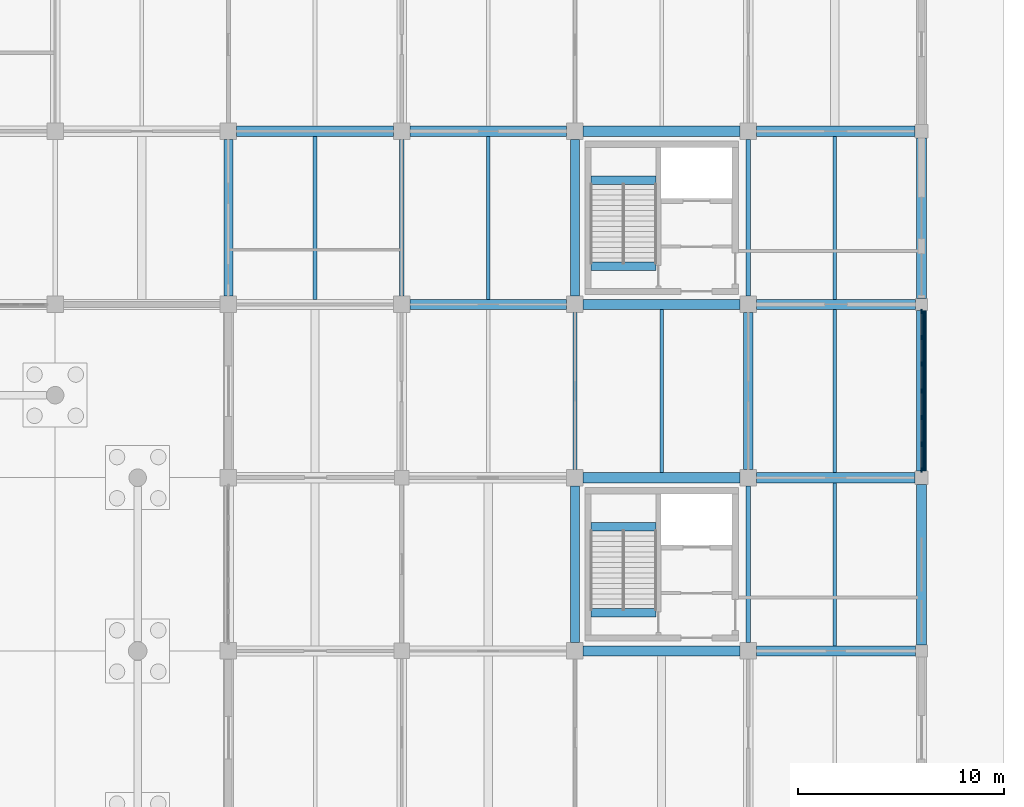
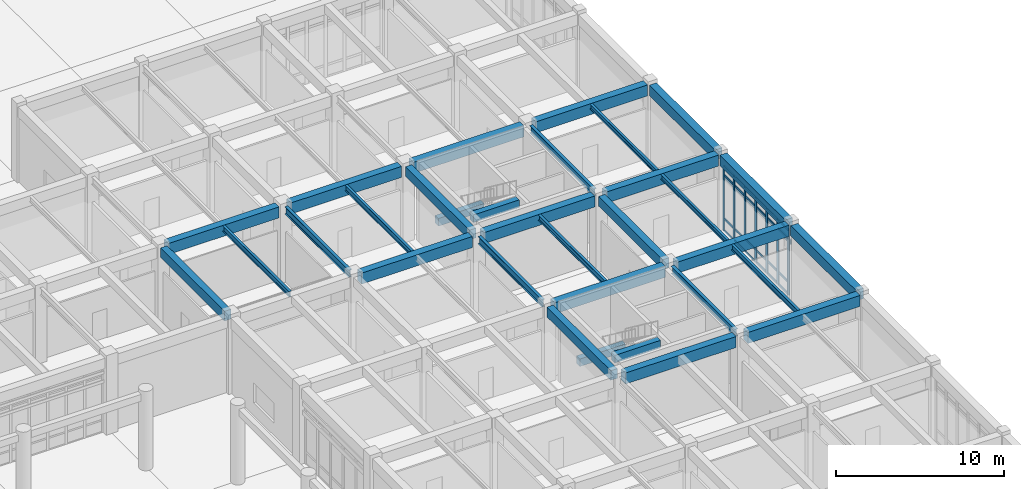
# One storey, part 37 of 91: 33 members, 32 beams, 1 element without a shape of its own.
"""IFC4 building model written with IfcOpenShell, lengths in metres."""

from ifc_helpers import new_model, si_unit, direction, frame, origin, origin_2d, place, context, subcontext, project, spatial, rectangle, i_section, extrude, material, layer, layer_set, material_profile, profile_set, type_object, element, aggregate, save


model = new_model("IFC4")

# Units and contexts
model_context = context("Model", 3, precision=1e-05, world=origin(), true_north=direction((0.0, 1.0)))
body_context = subcontext(model_context, "Body", "Model", "MODEL_VIEW")
ifc_project = project(units=[si_unit("LENGTHUNIT", "METRE"), si_unit("AREAUNIT", "SQUARE_METRE"), si_unit("VOLUMEUNIT", "CUBIC_METRE"), si_unit("PLANEANGLEUNIT", "RADIAN"), si_unit("MASSUNIT", "GRAM", prefix="KILO")], contexts=[model_context])

# Site, building, storey
site_placement = place(None, origin())
site = spatial("IfcSite", under=ifc_project, at=site_placement, CompositionType="ELEMENT")
building_placement = place(site_placement, origin())
building = spatial("IfcBuilding", under=site, at=building_placement, Name="Porcellanite Civic Hall", CompositionType="ELEMENT")
storey_placement = place(building_placement, origin())
storey = spatial("IfcBuildingStorey", under=building, at=storey_placement, Name="L00", CompositionType="ELEMENT", Elevation=0.0)

# Beams
ifc_material_1 = material(Name="Concrete N50 (50 MPa)", Category="concrete")
ifc_material_profile_1 = material_profile(ifc_material_1, rectangle(XDim=0.39990234375, YDim=0.550048828125, at=origin_2d()), Name="RC-400x550")
ifc_profile_set_1 = profile_set([ifc_material_profile_1], Name="Concrete N50 (50 MPa)")
beam_type_1 = type_object("IfcBeamType", Name="BM-RC550", PredefinedType="JOIST", material=ifc_profile_set_1)
for number, where, z_axis, x_axis, name in (
    (1, (160.380615234375, 39.625, 2.425048828125), (1.0, 0.0, 0.0), (0.0, 1.0, 0.0), "Stair landing beam C7 L00"),
    (2, (160.380615234375, 35.449951171875, 5.22509765625), (1.0, 0.0, 0.0), (0.0, 1.0, 0.0), "Stair header beam C7 L00"),
    (3, (160.380615234375, 56.425048828125, 2.425048828125), (1.0, 0.0, 0.0), (0.0, 1.0, 0.0), "Stair landing beam C8 L00"),
    (4, (160.380615234375, 52.25, 5.22509765625), (1.0, 0.0, 0.0), (0.0, 1.0, 0.0), "Stair header beam C8 L00"),
):
    element("IfcBeam", number, at=place(storey_placement, frame(where, z_axis=z_axis, x_axis=x_axis)), inside=storey, type_object=beam_type_1, Name=name, PredefinedType="JOIST", context=body_context, shape_type="SweptSolid", body=[
        extrude(rectangle(XDim=0.39990234375, YDim=0.550048828125, at=origin_2d()), origin(), (0.0, 0.0, 1.0), 3.138916015625),
    ])
ifc_material_2 = material(Name="Concrete N50 (50 MPa)", Category="concrete")
ifc_material_profile_2 = material_profile(ifc_material_2, rectangle(XDim=0.449951171875, YDim=0.699951171875, at=origin_2d()), Name="RC-450x700")
ifc_profile_set_2 = profile_set([ifc_material_profile_2], Name="Concrete N50 (50 MPa)")
beam_type_2 = type_object("IfcBeamType", Name="BM-RC700", PredefinedType="BEAM", material=ifc_profile_set_2)
beam_1_placement = place(storey_placement, frame((142.800048828125, 50.799560546875, 5.14990234375), z_axis=(0.0, 1.0, 0.0), x_axis=(-1.0, 0.0, 0.0)))
element("IfcBeam", 5, at=beam_1_placement, inside=storey, type_object=beam_type_2, Name="Beam Y L00 18-7", PredefinedType="BEAM", context=body_context, shape_type="SweptSolid", body=[
    extrude(rectangle(XDim=0.449951171875, YDim=0.699951171875, at=origin_2d()), origin(), (0.0, 0.0, 1.0), 7.600830078125),
])
beam_2_placement = place(storey_placement, frame((159.60009765625, 33.99951171875, 5.14990234375), z_axis=(0.0, 1.0, 0.0), x_axis=(-1.0, 0.0, 0.0)))
element("IfcBeam", 6, at=beam_2_placement, inside=storey, type_object=beam_type_2, Name="Beam Y L00 20-5", PredefinedType="BEAM", context=body_context, shape_type="SweptSolid", body=[
    extrude(rectangle(XDim=0.449951171875, YDim=0.699951171875, at=origin_2d()), origin(), (0.0, 0.0, 1.0), 7.60107421875),
])
beam_3_placement = place(storey_placement, frame((159.60009765625, 50.799560546875, 5.14990234375), z_axis=(0.0, 1.0, 0.0), x_axis=(-1.0, 0.0, 0.0)))
element("IfcBeam", 7, at=beam_3_placement, inside=storey, type_object=beam_type_2, Name="Beam Y L00 20-7", PredefinedType="BEAM", context=body_context, shape_type="SweptSolid", body=[
    extrude(rectangle(XDim=0.449951171875, YDim=0.699951171875, at=origin_2d()), origin(), (0.0, 0.0, 1.0), 7.600830078125),
])
beam_4_placement = place(storey_placement, frame((168.0, 42.3994140625, 5.14990234375), z_axis=(0.0, 1.0, 0.0), x_axis=(-1.0, 0.0, 0.0)))
element("IfcBeam", 8, at=beam_4_placement, inside=storey, type_object=beam_type_2, Name="Beam Y L00 21-6", PredefinedType="BEAM", context=body_context, shape_type="SweptSolid", body=[
    extrude(rectangle(XDim=0.449951171875, YDim=0.699951171875, at=origin_2d()), origin(), (0.0, 0.0, 1.0), 7.60107421875),
])
ifc_material_3 = material(Name="Concrete N50 (50 MPa)", Category="concrete")
ifc_material_profile_3 = material_profile(ifc_material_3, rectangle(XDim=0.5, YDim=0.75, at=origin_2d()), Name="RC-500x750")
ifc_profile_set_3 = profile_set([ifc_material_profile_3], Name="Concrete N50 (50 MPa)")
beam_type_3 = type_object("IfcBeamType", Name="BM-RC750", PredefinedType="SPANDREL", material=ifc_profile_set_3)
for number, where, z_axis, x_axis, name in (
    (9, (176.39990234375, 33.8994140625, 5.125), (0.0, 1.0, 0.0), (-1.0, 0.0, 0.0), "Beam Y L00 22-5"),
    (10, (176.39990234375, 42.324462890625, 5.125), (0.0, 1.0, 0.0), (-1.0, 0.0, 0.0), "Beam Y L00 22-6"),
    (11, (176.39990234375, 50.699462890625, 5.125), (0.0, 1.0, 0.0), (-1.0, 0.0, 0.0), "Beam Y L00 22-7"),
):
    element("IfcBeam", number, at=place(storey_placement, frame(where, z_axis=z_axis, x_axis=x_axis)), inside=storey, type_object=beam_type_3, Name=name, PredefinedType="SPANDREL", context=body_context, shape_type="SweptSolid", body=[
        extrude(rectangle(XDim=0.5, YDim=0.75, at=origin_2d()), origin(), (0.0, 0.0, 1.0), 7.776123046875),
    ])
ifc_material_4 = material(Name="Concrete N50 (50 MPa)", Category="concrete")
ifc_material_profile_4 = material_profile(ifc_material_4, rectangle(XDim=0.5, YDim=0.800048828125, at=origin_2d()), Name="RC-500x800")
ifc_profile_set_4 = profile_set([ifc_material_profile_4], Name="Concrete N50 (50 MPa)")
beam_type_4 = type_object("IfcBeamType", Name="BM-RC800", PredefinedType="BEAM", material=ifc_profile_set_4)
beam_5_placement = place(storey_placement, frame((143.199462890625, 58.800048828125, 5.10009765625), z_axis=(1.0, 0.0, 0.0), x_axis=(0.0, 1.0, 0.0)))
element("IfcBeam", 12, at=beam_5_placement, inside=storey, type_object=beam_type_4, Name="Beam X L00 18-8", PredefinedType="BEAM", context=body_context, shape_type="SweptSolid", body=[
    extrude(rectangle(XDim=0.5, YDim=0.800048828125, at=origin_2d()), origin(), (0.0, 0.0, 1.0), 7.60107421875),
])
for number, where, z_axis, x_axis, name in (
    (13, (151.599609375, 50.39990234375, 5.10009765625), (1.0, 0.0, 0.0), (0.0, 1.0, 0.0), "Beam X L00 19-7"),
    (14, (151.599609375, 58.800048828125, 5.10009765625), (1.0, 0.0, 0.0), (0.0, 1.0, 0.0), "Beam X L00 19-8"),
):
    element("IfcBeam", number, at=place(storey_placement, frame(where, z_axis=z_axis, x_axis=x_axis)), inside=storey, type_object=beam_type_4, Name=name, PredefinedType="BEAM", context=body_context, shape_type="SweptSolid", body=[
        extrude(rectangle(XDim=0.5, YDim=0.800048828125, at=origin_2d()), origin(), (0.0, 0.0, 1.0), 7.600830078125),
    ])
for number, where, z_axis, x_axis, name in (
    (15, (159.99951171875, 33.60009765625, 5.10009765625), (1.0, 0.0, 0.0), (0.0, 1.0, 0.0), "Beam X L00 20-5"),
    (16, (159.99951171875, 42.0, 5.10009765625), (1.0, 0.0, 0.0), (0.0, 1.0, 0.0), "Beam X L00 20-6"),
    (17, (159.99951171875, 50.39990234375, 5.10009765625), (1.0, 0.0, 0.0), (0.0, 1.0, 0.0), "Beam X L00 20-7"),
    (18, (159.99951171875, 58.800048828125, 5.10009765625), (1.0, 0.0, 0.0), (0.0, 1.0, 0.0), "Beam X L00 20-8"),
):
    element("IfcBeam", number, at=place(storey_placement, frame(where, z_axis=z_axis, x_axis=x_axis)), inside=storey, type_object=beam_type_4, Name=name, PredefinedType="BEAM", context=body_context, shape_type="SweptSolid", body=[
        extrude(rectangle(XDim=0.5, YDim=0.800048828125, at=origin_2d()), origin(), (0.0, 0.0, 1.0), 7.60107421875),
    ])
beam_6_placement = place(storey_placement, frame((168.3994140625, 33.60009765625, 5.10009765625), z_axis=(1.0, 0.0, 0.0), x_axis=(0.0, 1.0, 0.0)))
element("IfcBeam", 19, at=beam_6_placement, inside=storey, type_object=beam_type_4, Name="Beam X L00 21-5", PredefinedType="BEAM", context=body_context, shape_type="SweptSolid", body=[
    extrude(rectangle(XDim=0.5, YDim=0.800048828125, at=origin_2d()), origin(), (0.0, 0.0, 1.0), 7.701171875),
])
beam_7_placement = place(storey_placement, frame((168.3994140625, 42.0, 5.10009765625), z_axis=(1.0, 0.0, 0.0), x_axis=(0.0, 1.0, 0.0)))
element("IfcBeam", 20, at=beam_7_placement, inside=storey, type_object=beam_type_4, Name="Beam X L00 21-6", PredefinedType="BEAM", context=body_context, shape_type="SweptSolid", body=[
    extrude(rectangle(XDim=0.5, YDim=0.800048828125, at=origin_2d()), origin(), (0.0, 0.0, 1.0), 7.676025390625),
])
beam_8_placement = place(storey_placement, frame((168.3994140625, 50.39990234375, 5.10009765625), z_axis=(1.0, 0.0, 0.0), x_axis=(0.0, 1.0, 0.0)))
element("IfcBeam", 21, at=beam_8_placement, inside=storey, type_object=beam_type_4, Name="Beam X L00 21-7", PredefinedType="BEAM", context=body_context, shape_type="SweptSolid", body=[
    extrude(rectangle(XDim=0.5, YDim=0.800048828125, at=origin_2d()), origin(), (0.0, 0.0, 1.0), 7.701171875),
])
beam_9_placement = place(storey_placement, frame((168.3994140625, 58.800048828125, 5.10009765625), z_axis=(1.0, 0.0, 0.0), x_axis=(0.0, 1.0, 0.0)))
element("IfcBeam", 22, at=beam_9_placement, inside=storey, type_object=beam_type_4, Name="Beam X L00 21-8", PredefinedType="BEAM", context=body_context, shape_type="SweptSolid", body=[
    extrude(rectangle(XDim=0.5, YDim=0.800048828125, at=origin_2d()), origin(), (0.0, 0.0, 1.0), 7.676025390625),
])

# Curtain wall, members
ifc_material_5 = material(Name="Anodised aluminium and solar laminated glass", Category="aluminium")
ifc_layer = layer(ifc_material_5, 0.179931640625)
ifc_layer_set = layer_set([ifc_layer], Name="Anodised aluminium and solar laminated glass")
curtain_wall_type = type_object("IfcCurtainWallType", Name="CW-SYS02", PredefinedType="NOTDEFINED", material=ifc_layer_set)
curtain_wall_placement = place(storey_placement, origin())
curtain_wall = element("IfcCurtainWall", 23, at=curtain_wall_placement, inside=storey, type_object=curtain_wall_type, Name="Curtain wall CW-058", PredefinedType="NOTDEFINED")
ifc_material_6 = material(Name="Anodised aluminium 6063-T6", Category="aluminium")
ifc_material_profile_5 = material_profile(ifc_material_6, rectangle(XDim=0.074951171875, YDim=0.219970703125, at=origin_2d()), Name="AL-75x220")
ifc_profile_set_5 = profile_set([ifc_material_profile_5], Name="Anodised aluminium 6063-T6")
member_type_1 = type_object("IfcMemberType", Name="CWM-03", PredefinedType="MULLION", material=ifc_profile_set_5)
member_1_placement = place(storey_placement, frame((176.39990234375, 50.0615234375, 0.0), z_axis=(0.0, 0.0, 1.0), x_axis=(1.0, 0.0, 0.0)))
member_1 = element("IfcMember", 24, at=member_1_placement, type_object=member_type_1, Name="CW-058 mullion 1", PredefinedType="MULLION", context=body_context, shape_type="SweptSolid", body=[
    extrude(rectangle(XDim=0.074951171875, YDim=0.219970703125, at=origin_2d()), origin(), (0.0, 0.0, 1.0), 4.699951171875),
])
member_2_placement = place(storey_placement, frame((176.39990234375, 48.803466796875, 0.0), z_axis=(0.0, 0.0, 1.0), x_axis=(1.0, 0.0, 0.0)))
member_2 = element("IfcMember", 25, at=member_2_placement, type_object=member_type_1, Name="CW-058 mullion 2", PredefinedType="MULLION", context=body_context, shape_type="SweptSolid", body=[
    extrude(rectangle(XDim=0.074951171875, YDim=0.219970703125, at=origin_2d()), origin(), (0.0, 0.0, 1.0), 4.699951171875),
])
member_3_placement = place(storey_placement, frame((176.39990234375, 47.508056640625, 0.0), z_axis=(0.0, 0.0, 1.0), x_axis=(1.0, 0.0, 0.0)))
member_3 = element("IfcMember", 26, at=member_3_placement, type_object=member_type_1, Name="CW-058 mullion 3", PredefinedType="MULLION", context=body_context, shape_type="SweptSolid", body=[
    extrude(rectangle(XDim=0.074951171875, YDim=0.219970703125, at=origin_2d()), origin(), (0.0, 0.0, 1.0), 4.699951171875),
])
member_4_placement = place(storey_placement, frame((176.39990234375, 46.21240234375, 0.0), z_axis=(0.0, 0.0, 1.0), x_axis=(1.0, 0.0, 0.0)))
member_4 = element("IfcMember", 27, at=member_4_placement, type_object=member_type_1, Name="CW-058 mullion 4", PredefinedType="MULLION", context=body_context, shape_type="SweptSolid", body=[
    extrude(rectangle(XDim=0.074951171875, YDim=0.219970703125, at=origin_2d()), origin(), (0.0, 0.0, 1.0), 4.699951171875),
])
member_5_placement = place(storey_placement, frame((176.39990234375, 44.9169921875, 0.0), z_axis=(0.0, 0.0, 1.0), x_axis=(1.0, 0.0, 0.0)))
member_5 = element("IfcMember", 28, at=member_5_placement, type_object=member_type_1, Name="CW-058 mullion 5", PredefinedType="MULLION", context=body_context, shape_type="SweptSolid", body=[
    extrude(rectangle(XDim=0.074951171875, YDim=0.219970703125, at=origin_2d()), origin(), (0.0, 0.0, 1.0), 4.699951171875),
])
member_6_placement = place(storey_placement, frame((176.39990234375, 43.62158203125, 0.0), z_axis=(0.0, 0.0, 1.0), x_axis=(1.0, 0.0, 0.0)))
member_6 = element("IfcMember", 29, at=member_6_placement, type_object=member_type_1, Name="CW-058 mullion 6", PredefinedType="MULLION", context=body_context, shape_type="SweptSolid", body=[
    extrude(rectangle(XDim=0.074951171875, YDim=0.219970703125, at=origin_2d()), origin(), (0.0, 0.0, 1.0), 4.699951171875),
])
member_7_placement = place(storey_placement, frame((176.39990234375, 42.363525390625, 0.0), z_axis=(0.0, 0.0, 1.0), x_axis=(1.0, 0.0, 0.0)))
member_7 = element("IfcMember", 30, at=member_7_placement, type_object=member_type_1, Name="CW-058 mullion 7", PredefinedType="MULLION", context=body_context, shape_type="SweptSolid", body=[
    extrude(rectangle(XDim=0.074951171875, YDim=0.219970703125, at=origin_2d()), origin(), (0.0, 0.0, 1.0), 4.699951171875),
])
ifc_material_7 = material(Name="Anodised aluminium 6063-T6", Category="aluminium")
ifc_material_profile_6 = material_profile(ifc_material_7, rectangle(XDim=0.06494140625, YDim=0.14990234375, at=origin_2d()), Name="AL-65x150")
ifc_profile_set_6 = profile_set([ifc_material_profile_6], Name="Anodised aluminium 6063-T6")
member_type_2 = type_object("IfcMemberType", Name="CWT-02", PredefinedType="USERDEFINED", material=ifc_profile_set_6)
member_8_placement = place(storey_placement, frame((176.39990234375, 50.02392578125, 0.032470703125), z_axis=(0.0, -1.0, 0.0), x_axis=(1.0, 0.0, 0.0)))
member_8 = element("IfcMember", 31, at=member_8_placement, type_object=member_type_2, Name="CW-058 transom 1.1", ObjectType="TRANSOM", PredefinedType="USERDEFINED", context=body_context, shape_type="SweptSolid", body=[
    extrude(rectangle(XDim=0.06494140625, YDim=0.14990234375, at=origin_2d()), origin(), (0.0, 0.0, 1.0), 1.182861328125),
])
member_9_placement = place(storey_placement, frame((176.39990234375, 50.02392578125, 0.89990234375), z_axis=(0.0, -1.0, 0.0), x_axis=(1.0, 0.0, 0.0)))
member_9 = element("IfcMember", 32, at=member_9_placement, type_object=member_type_2, Name="CW-058 transom 1.2", ObjectType="TRANSOM", PredefinedType="USERDEFINED", context=body_context, shape_type="SweptSolid", body=[
    extrude(rectangle(XDim=0.06494140625, YDim=0.14990234375, at=origin_2d()), origin(), (0.0, 0.0, 1.0), 1.182861328125),
])
member_10_placement = place(storey_placement, frame((176.39990234375, 50.02392578125, 4.050048828125), z_axis=(0.0, -1.0, 0.0), x_axis=(1.0, 0.0, 0.0)))
member_10 = element("IfcMember", 33, at=member_10_placement, type_object=member_type_2, Name="CW-058 transom 1.3", ObjectType="TRANSOM", PredefinedType="USERDEFINED", context=body_context, shape_type="SweptSolid", body=[
    extrude(rectangle(XDim=0.06494140625, YDim=0.14990234375, at=origin_2d()), origin(), (0.0, 0.0, 1.0), 1.182861328125),
])
member_11_placement = place(storey_placement, frame((176.39990234375, 50.02392578125, 4.66748046875), z_axis=(0.0, -1.0, 0.0), x_axis=(1.0, 0.0, 0.0)))
member_11 = element("IfcMember", 34, at=member_11_placement, type_object=member_type_2, Name="CW-058 transom 1.4", ObjectType="TRANSOM", PredefinedType="USERDEFINED", context=body_context, shape_type="SweptSolid", body=[
    extrude(rectangle(XDim=0.06494140625, YDim=0.14990234375, at=origin_2d()), origin(), (0.0, 0.0, 1.0), 1.182861328125),
])
member_12_placement = place(storey_placement, frame((176.39990234375, 48.76611328125, 0.032470703125), z_axis=(0.0, -1.0, 0.0), x_axis=(1.0, 0.0, 0.0)))
member_12 = element("IfcMember", 35, at=member_12_placement, type_object=member_type_2, Name="CW-058 transom 2.1", ObjectType="TRANSOM", PredefinedType="USERDEFINED", context=body_context, shape_type="SweptSolid", body=[
    extrude(rectangle(XDim=0.06494140625, YDim=0.14990234375, at=origin_2d()), origin(), (0.0, 0.0, 1.0), 1.220703125),
])
member_13_placement = place(storey_placement, frame((176.39990234375, 48.76611328125, 0.89990234375), z_axis=(0.0, -1.0, 0.0), x_axis=(1.0, 0.0, 0.0)))
member_13 = element("IfcMember", 36, at=member_13_placement, type_object=member_type_2, Name="CW-058 transom 2.2", ObjectType="TRANSOM", PredefinedType="USERDEFINED", context=body_context, shape_type="SweptSolid", body=[
    extrude(rectangle(XDim=0.06494140625, YDim=0.14990234375, at=origin_2d()), origin(), (0.0, 0.0, 1.0), 1.220703125),
])
member_14_placement = place(storey_placement, frame((176.39990234375, 48.76611328125, 4.050048828125), z_axis=(0.0, -1.0, 0.0), x_axis=(1.0, 0.0, 0.0)))
member_14 = element("IfcMember", 37, at=member_14_placement, type_object=member_type_2, Name="CW-058 transom 2.3", ObjectType="TRANSOM", PredefinedType="USERDEFINED", context=body_context, shape_type="SweptSolid", body=[
    extrude(rectangle(XDim=0.06494140625, YDim=0.14990234375, at=origin_2d()), origin(), (0.0, 0.0, 1.0), 1.220703125),
])
member_15_placement = place(storey_placement, frame((176.39990234375, 48.76611328125, 4.66748046875), z_axis=(0.0, -1.0, 0.0), x_axis=(1.0, 0.0, 0.0)))
member_15 = element("IfcMember", 38, at=member_15_placement, type_object=member_type_2, Name="CW-058 transom 2.4", ObjectType="TRANSOM", PredefinedType="USERDEFINED", context=body_context, shape_type="SweptSolid", body=[
    extrude(rectangle(XDim=0.06494140625, YDim=0.14990234375, at=origin_2d()), origin(), (0.0, 0.0, 1.0), 1.220703125),
])
member_16_placement = place(storey_placement, frame((176.39990234375, 47.470458984375, 0.032470703125), z_axis=(0.0, -1.0, 0.0), x_axis=(1.0, 0.0, 0.0)))
member_16 = element("IfcMember", 39, at=member_16_placement, type_object=member_type_2, Name="CW-058 transom 3.1", ObjectType="TRANSOM", PredefinedType="USERDEFINED", context=body_context, shape_type="SweptSolid", body=[
    extrude(rectangle(XDim=0.06494140625, YDim=0.14990234375, at=origin_2d()), origin(), (0.0, 0.0, 1.0), 1.220458984375),
])
member_17_placement = place(storey_placement, frame((176.39990234375, 47.470458984375, 0.89990234375), z_axis=(0.0, -1.0, 0.0), x_axis=(1.0, 0.0, 0.0)))
member_17 = element("IfcMember", 40, at=member_17_placement, type_object=member_type_2, Name="CW-058 transom 3.2", ObjectType="TRANSOM", PredefinedType="USERDEFINED", context=body_context, shape_type="SweptSolid", body=[
    extrude(rectangle(XDim=0.06494140625, YDim=0.14990234375, at=origin_2d()), origin(), (0.0, 0.0, 1.0), 1.220458984375),
])
member_18_placement = place(storey_placement, frame((176.39990234375, 47.470458984375, 4.050048828125), z_axis=(0.0, -1.0, 0.0), x_axis=(1.0, 0.0, 0.0)))
member_18 = element("IfcMember", 41, at=member_18_placement, type_object=member_type_2, Name="CW-058 transom 3.3", ObjectType="TRANSOM", PredefinedType="USERDEFINED", context=body_context, shape_type="SweptSolid", body=[
    extrude(rectangle(XDim=0.06494140625, YDim=0.14990234375, at=origin_2d()), origin(), (0.0, 0.0, 1.0), 1.220458984375),
])
member_19_placement = place(storey_placement, frame((176.39990234375, 47.470458984375, 4.66748046875), z_axis=(0.0, -1.0, 0.0), x_axis=(1.0, 0.0, 0.0)))
member_19 = element("IfcMember", 42, at=member_19_placement, type_object=member_type_2, Name="CW-058 transom 3.4", ObjectType="TRANSOM", PredefinedType="USERDEFINED", context=body_context, shape_type="SweptSolid", body=[
    extrude(rectangle(XDim=0.06494140625, YDim=0.14990234375, at=origin_2d()), origin(), (0.0, 0.0, 1.0), 1.220458984375),
])
member_20_placement = place(storey_placement, frame((176.39990234375, 46.175048828125, 0.032470703125), z_axis=(0.0, -1.0, 0.0), x_axis=(1.0, 0.0, 0.0)))
member_20 = element("IfcMember", 43, at=member_20_placement, type_object=member_type_2, Name="CW-058 transom 4.1", ObjectType="TRANSOM", PredefinedType="USERDEFINED", context=body_context, shape_type="SweptSolid", body=[
    extrude(rectangle(XDim=0.06494140625, YDim=0.14990234375, at=origin_2d()), origin(), (0.0, 0.0, 1.0), 1.220458984375),
])
member_21_placement = place(storey_placement, frame((176.39990234375, 46.175048828125, 0.89990234375), z_axis=(0.0, -1.0, 0.0), x_axis=(1.0, 0.0, 0.0)))
member_21 = element("IfcMember", 44, at=member_21_placement, type_object=member_type_2, Name="CW-058 transom 4.2", ObjectType="TRANSOM", PredefinedType="USERDEFINED", context=body_context, shape_type="SweptSolid", body=[
    extrude(rectangle(XDim=0.06494140625, YDim=0.14990234375, at=origin_2d()), origin(), (0.0, 0.0, 1.0), 1.220458984375),
])
member_22_placement = place(storey_placement, frame((176.39990234375, 46.175048828125, 4.050048828125), z_axis=(0.0, -1.0, 0.0), x_axis=(1.0, 0.0, 0.0)))
member_22 = element("IfcMember", 45, at=member_22_placement, type_object=member_type_2, Name="CW-058 transom 4.3", ObjectType="TRANSOM", PredefinedType="USERDEFINED", context=body_context, shape_type="SweptSolid", body=[
    extrude(rectangle(XDim=0.06494140625, YDim=0.14990234375, at=origin_2d()), origin(), (0.0, 0.0, 1.0), 1.220458984375),
])
member_23_placement = place(storey_placement, frame((176.39990234375, 46.175048828125, 4.66748046875), z_axis=(0.0, -1.0, 0.0), x_axis=(1.0, 0.0, 0.0)))
member_23 = element("IfcMember", 46, at=member_23_placement, type_object=member_type_2, Name="CW-058 transom 4.4", ObjectType="TRANSOM", PredefinedType="USERDEFINED", context=body_context, shape_type="SweptSolid", body=[
    extrude(rectangle(XDim=0.06494140625, YDim=0.14990234375, at=origin_2d()), origin(), (0.0, 0.0, 1.0), 1.220458984375),
])
member_24_placement = place(storey_placement, frame((176.39990234375, 44.87939453125, 0.032470703125), z_axis=(0.0, -1.0, 0.0), x_axis=(1.0, 0.0, 0.0)))
member_24 = element("IfcMember", 47, at=member_24_placement, type_object=member_type_2, Name="CW-058 transom 5.1", ObjectType="TRANSOM", PredefinedType="USERDEFINED", context=body_context, shape_type="SweptSolid", body=[
    extrude(rectangle(XDim=0.06494140625, YDim=0.14990234375, at=origin_2d()), origin(), (0.0, 0.0, 1.0), 1.220458984375),
])
member_25_placement = place(storey_placement, frame((176.39990234375, 44.87939453125, 0.89990234375), z_axis=(0.0, -1.0, 0.0), x_axis=(1.0, 0.0, 0.0)))
member_25 = element("IfcMember", 48, at=member_25_placement, type_object=member_type_2, Name="CW-058 transom 5.2", ObjectType="TRANSOM", PredefinedType="USERDEFINED", context=body_context, shape_type="SweptSolid", body=[
    extrude(rectangle(XDim=0.06494140625, YDim=0.14990234375, at=origin_2d()), origin(), (0.0, 0.0, 1.0), 1.220458984375),
])
member_26_placement = place(storey_placement, frame((176.39990234375, 44.87939453125, 4.050048828125), z_axis=(0.0, -1.0, 0.0), x_axis=(1.0, 0.0, 0.0)))
member_26 = element("IfcMember", 49, at=member_26_placement, type_object=member_type_2, Name="CW-058 transom 5.3", ObjectType="TRANSOM", PredefinedType="USERDEFINED", context=body_context, shape_type="SweptSolid", body=[
    extrude(rectangle(XDim=0.06494140625, YDim=0.14990234375, at=origin_2d()), origin(), (0.0, 0.0, 1.0), 1.220458984375),
])
member_27_placement = place(storey_placement, frame((176.39990234375, 44.87939453125, 4.66748046875), z_axis=(0.0, -1.0, 0.0), x_axis=(1.0, 0.0, 0.0)))
member_27 = element("IfcMember", 50, at=member_27_placement, type_object=member_type_2, Name="CW-058 transom 5.4", ObjectType="TRANSOM", PredefinedType="USERDEFINED", context=body_context, shape_type="SweptSolid", body=[
    extrude(rectangle(XDim=0.06494140625, YDim=0.14990234375, at=origin_2d()), origin(), (0.0, 0.0, 1.0), 1.220458984375),
])
member_28_placement = place(storey_placement, frame((176.39990234375, 43.583984375, 0.032470703125), z_axis=(0.0, -1.0, 0.0), x_axis=(1.0, 0.0, 0.0)))
member_28 = element("IfcMember", 51, at=member_28_placement, type_object=member_type_2, Name="CW-058 transom 6.1", ObjectType="TRANSOM", PredefinedType="USERDEFINED", context=body_context, shape_type="SweptSolid", body=[
    extrude(rectangle(XDim=0.06494140625, YDim=0.14990234375, at=origin_2d()), origin(), (0.0, 0.0, 1.0), 1.18310546875),
])
member_29_placement = place(storey_placement, frame((176.39990234375, 43.583984375, 0.89990234375), z_axis=(0.0, -1.0, 0.0), x_axis=(1.0, 0.0, 0.0)))
member_29 = element("IfcMember", 52, at=member_29_placement, type_object=member_type_2, Name="CW-058 transom 6.2", ObjectType="TRANSOM", PredefinedType="USERDEFINED", context=body_context, shape_type="SweptSolid", body=[
    extrude(rectangle(XDim=0.06494140625, YDim=0.14990234375, at=origin_2d()), origin(), (0.0, 0.0, 1.0), 1.18310546875),
])
member_30_placement = place(storey_placement, frame((176.39990234375, 43.583984375, 4.050048828125), z_axis=(0.0, -1.0, 0.0), x_axis=(1.0, 0.0, 0.0)))
member_30 = element("IfcMember", 53, at=member_30_placement, type_object=member_type_2, Name="CW-058 transom 6.3", ObjectType="TRANSOM", PredefinedType="USERDEFINED", context=body_context, shape_type="SweptSolid", body=[
    extrude(rectangle(XDim=0.06494140625, YDim=0.14990234375, at=origin_2d()), origin(), (0.0, 0.0, 1.0), 1.18310546875),
])
member_31_placement = place(storey_placement, frame((176.39990234375, 43.583984375, 4.66748046875), z_axis=(0.0, -1.0, 0.0), x_axis=(1.0, 0.0, 0.0)))
member_31 = element("IfcMember", 54, at=member_31_placement, type_object=member_type_2, Name="CW-058 transom 6.4", ObjectType="TRANSOM", PredefinedType="USERDEFINED", context=body_context, shape_type="SweptSolid", body=[
    extrude(rectangle(XDim=0.06494140625, YDim=0.14990234375, at=origin_2d()), origin(), (0.0, 0.0, 1.0), 1.18310546875),
])
aggregate(curtain_wall, [member_1, member_2, member_3, member_4, member_5, member_6, member_7, member_8, member_9, member_10, member_11, member_12, member_13, member_14, member_15, member_16, member_17, member_18, member_19, member_20, member_21, member_22, member_23, member_24, member_25, member_26, member_27, member_28, member_29, member_30, member_31])

# Beams
ifc_material_8 = material(Name="Steel Grade 350", Category="steel")
ifc_material_profile_7 = material_profile(ifc_material_8, i_section(OverallWidth=0.1708984375, OverallDepth=0.35595703125, WebThickness=0.00732421875, FlangeThickness=0.011474609375, FilletRadius=0.011474609375, at=origin_2d()), Name="360UB50.7")
ifc_profile_set_7 = profile_set([ifc_material_profile_7], Name="Steel Grade 350")
beam_type_5 = type_object("IfcBeamType", Name="JST-360UB51", PredefinedType="JOIST", material=ifc_profile_set_7)
beam_10_placement = place(storey_placement, frame((172.199951171875, 50.6494140625, 5.322021484375), z_axis=(0.0, 1.0, 0.0), x_axis=(-1.0, 0.0, 0.0)))
element("IfcBeam", 55, at=beam_10_placement, inside=storey, type_object=beam_type_5, Name="Secondary joist L00 21-7", PredefinedType="JOIST", context=body_context, shape_type="SweptSolid", body=[
    extrude(i_section(OverallWidth=0.1708984375, OverallDepth=0.35595703125, WebThickness=0.00732421875, FlangeThickness=0.011474609375, FilletRadius=0.011474609375, at=origin_2d()), origin(), (0.0, 0.0, 1.0), 7.901123046875),
])
ifc_material_9 = material(Name="Steel Grade 350", Category="steel")
ifc_material_profile_8 = material_profile(ifc_material_9, i_section(OverallWidth=0.172119140625, OverallDepth=0.35888671875, WebThickness=0.008056640625, FlangeThickness=0.012939453125, FilletRadius=0.011474609375, at=origin_2d()), Name="360UB56.7")
ifc_profile_set_8 = profile_set([ifc_material_profile_8], Name="Steel Grade 350")
beam_type_6 = type_object("IfcBeamType", Name="JST-360UB57", PredefinedType="JOIST", material=ifc_profile_set_8)
beam_11_placement = place(storey_placement, frame((172.199951171875, 42.24951171875, 5.320556640625), z_axis=(0.0, 1.0, 0.0), x_axis=(-1.0, 0.0, 0.0)))
element("IfcBeam", 56, at=beam_11_placement, inside=storey, type_object=beam_type_6, Name="Secondary joist L00 21-6", PredefinedType="JOIST", context=body_context, shape_type="SweptSolid", body=[
    extrude(i_section(OverallWidth=0.172119140625, OverallDepth=0.35888671875, WebThickness=0.008056640625, FlangeThickness=0.012939453125, FilletRadius=0.011474609375, at=origin_2d()), origin(), (0.0, 0.0, 1.0), 7.90087890625),
])
ifc_material_10 = material(Name="Steel Grade 350", Category="steel")
ifc_material_profile_9 = material_profile(ifc_material_10, i_section(OverallWidth=0.177978515625, OverallDepth=0.403076171875, WebThickness=0.007568359375, FlangeThickness=0.010986328125, FilletRadius=0.011474609375, at=origin_2d()), Name="410UB53.7")
ifc_profile_set_9 = profile_set([ifc_material_profile_9], Name="Steel Grade 350")
beam_type_7 = type_object("IfcBeamType", Name="JST-410UB54", PredefinedType="JOIST", material=ifc_profile_set_9)
beam_12_placement = place(storey_placement, frame((155.39990234375, 50.6494140625, 5.298583984375), z_axis=(0.0, 1.0, 0.0), x_axis=(-1.0, 0.0, 0.0)))
element("IfcBeam", 57, at=beam_12_placement, inside=storey, type_object=beam_type_7, Name="Secondary joist L00 19-7", PredefinedType="JOIST", context=body_context, shape_type="SweptSolid", body=[
    extrude(i_section(OverallWidth=0.177978515625, OverallDepth=0.403076171875, WebThickness=0.007568359375, FlangeThickness=0.010986328125, FilletRadius=0.011474609375, at=origin_2d()), origin(), (0.0, 0.0, 1.0), 7.901123046875),
])
for number, where, z_axis, x_axis, name in (
    (58, (163.800048828125, 42.24951171875, 5.298583984375), (0.0, 1.0, 0.0), (-1.0, 0.0, 0.0), "Secondary joist L00 20-6"),
    (59, (172.199951171875, 33.849609375, 5.298583984375), (0.0, 1.0, 0.0), (-1.0, 0.0, 0.0), "Secondary joist L00 21-5"),
):
    element("IfcBeam", number, at=place(storey_placement, frame(where, z_axis=z_axis, x_axis=x_axis)), inside=storey, type_object=beam_type_7, Name=name, PredefinedType="JOIST", context=body_context, shape_type="SweptSolid", body=[
        extrude(i_section(OverallWidth=0.177978515625, OverallDepth=0.403076171875, WebThickness=0.007568359375, FlangeThickness=0.010986328125, FilletRadius=0.011474609375, at=origin_2d()), origin(), (0.0, 0.0, 1.0), 7.90087890625),
    ])
ifc_material_11 = material(Name="Steel Grade 350", Category="steel")
ifc_material_profile_10 = material_profile(ifc_material_11, i_section(OverallWidth=0.177978515625, OverallDepth=0.406005859375, WebThickness=0.0078125, FlangeThickness=0.0126953125, FilletRadius=0.011474609375, at=origin_2d()), Name="410UB59.7")
ifc_profile_set_10 = profile_set([ifc_material_profile_10], Name="Steel Grade 350")
beam_type_8 = type_object("IfcBeamType", Name="JST-410UB60", PredefinedType="JOIST", material=ifc_profile_set_10)
beam_13_placement = place(storey_placement, frame((147.0, 50.6494140625, 5.297119140625), z_axis=(0.0, 1.0, 0.0), x_axis=(-1.0, 0.0, 0.0)))
element("IfcBeam", 60, at=beam_13_placement, inside=storey, type_object=beam_type_8, Name="Secondary joist L00 18-7", PredefinedType="JOIST", context=body_context, shape_type="SweptSolid", body=[
    extrude(i_section(OverallWidth=0.177978515625, OverallDepth=0.406005859375, WebThickness=0.0078125, FlangeThickness=0.0126953125, FilletRadius=0.011474609375, at=origin_2d()), origin(), (0.0, 0.0, 1.0), 7.901123046875),
])

# Members
ifc_material_12 = material(Name="Fluoropolymer bauxite-red aluminium 6063-T6", Category="aluminium")
ifc_material_profile_11 = material_profile(ifc_material_12, rectangle(XDim=0.080078125, YDim=0.320068359375, at=origin_2d()), Name="AL-80x320")
ifc_profile_set_11 = profile_set([ifc_material_profile_11], Name="Fluoropolymer bauxite-red aluminium 6063-T6")
member_type_3 = type_object("IfcMemberType", Name="LV-BLD03", PredefinedType="USERDEFINED", material=ifc_profile_set_11)
for number, where, z_axis, x_axis, name in (
    (61, (176.552001953125, 50.1005859375, 4.39990234375), (0.0, -1.0, 0.0), (1.0, 0.0, 0.0), "Cyclone sunshade louvre L00 E 20-5 1"),
    (62, (176.552001953125, 50.1005859375, 3.75), (0.0, -1.0, 0.0), (1.0, 0.0, 0.0), "Cyclone sunshade louvre L00 E 20-5 2"),
):
    element("IfcMember", number, at=place(storey_placement, frame(where, z_axis=z_axis, x_axis=x_axis)), inside=storey, type_object=member_type_3, Name=name, ObjectType="LOUVRE BLADE", PredefinedType="USERDEFINED", context=body_context, shape_type="SweptSolid", body=[
        extrude(rectangle(XDim=0.080078125, YDim=0.320068359375, at=origin_2d()), origin(), (0.0, 0.0, 1.0), 7.776123046875),
    ])

# Beams
ifc_material_13 = material(Name="Steel Grade 350", Category="steel")
ifc_material_profile_12 = material_profile(ifc_material_13, i_section(OverallWidth=0.208984375, OverallDepth=0.528076171875, WebThickness=0.009521484375, FlangeThickness=0.01318359375, FilletRadius=0.013916015625, at=origin_2d()), Name="530UB82.0")
ifc_profile_set_12 = profile_set([ifc_material_profile_12], Name="Steel Grade 350")
beam_type_9 = type_object("IfcBeamType", Name="RAF-530UB82", PredefinedType="BEAM", material=ifc_profile_set_12)
beam_14_placement = place(storey_placement, frame((151.199951171875, 50.799560546875, 5.236083984375), z_axis=(0.0, 1.0, 0.0), x_axis=(-1.0, 0.0, 0.0)))
element("IfcBeam", 63, at=beam_14_placement, inside=storey, type_object=beam_type_9, Name="Beam Y L00 19-7", PredefinedType="BEAM", context=body_context, shape_type="SweptSolid", body=[
    extrude(i_section(OverallWidth=0.208984375, OverallDepth=0.528076171875, WebThickness=0.009521484375, FlangeThickness=0.01318359375, FilletRadius=0.013916015625, at=origin_2d()), origin(), (0.0, 0.0, 1.0), 7.600830078125),
])
for number, where, z_axis, x_axis, name in (
    (64, (159.60009765625, 42.3994140625, 5.236083984375), (0.0, 1.0, 0.0), (-1.0, 0.0, 0.0), "Beam Y L00 20-6"),
    (65, (168.0, 33.99951171875, 5.236083984375), (0.0, 1.0, 0.0), (-1.0, 0.0, 0.0), "Beam Y L00 21-5"),
):
    element("IfcBeam", number, at=place(storey_placement, frame(where, z_axis=z_axis, x_axis=x_axis)), inside=storey, type_object=beam_type_9, Name=name, PredefinedType="BEAM", context=body_context, shape_type="SweptSolid", body=[
        extrude(i_section(OverallWidth=0.208984375, OverallDepth=0.528076171875, WebThickness=0.009521484375, FlangeThickness=0.01318359375, FilletRadius=0.013916015625, at=origin_2d()), origin(), (0.0, 0.0, 1.0), 7.60107421875),
    ])
beam_15_placement = place(storey_placement, frame((168.0, 50.799560546875, 5.236083984375), z_axis=(0.0, 1.0, 0.0), x_axis=(-1.0, 0.0, 0.0)))
element("IfcBeam", 66, at=beam_15_placement, inside=storey, type_object=beam_type_9, Name="Beam Y L00 21-7", PredefinedType="BEAM", context=body_context, shape_type="SweptSolid", body=[
    extrude(i_section(OverallWidth=0.208984375, OverallDepth=0.528076171875, WebThickness=0.009521484375, FlangeThickness=0.01318359375, FilletRadius=0.013916015625, at=origin_2d()), origin(), (0.0, 0.0, 1.0), 7.600830078125),
])

save(model, "model.ifc")
